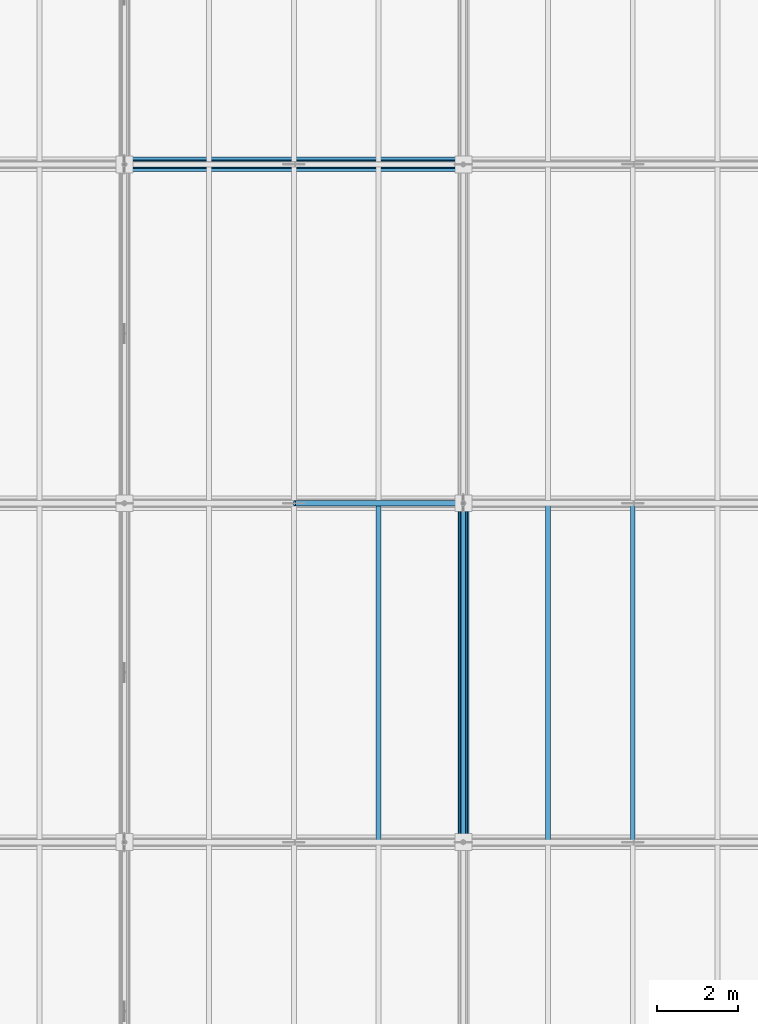
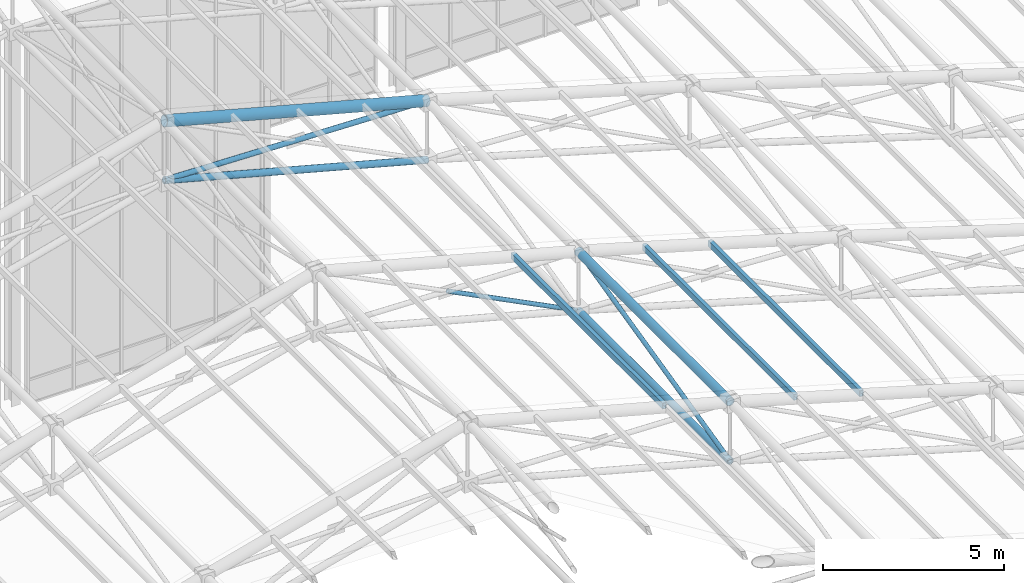
# One storey, part 56 of 144: 10 members.
"""IFC4 building model written with IfcOpenShell, lengths in metres."""

from ifc_helpers import new_model, si_unit, direction, frame, origin, origin_2d, place, context, subcontext, project, spatial, hollow_rectangle, hollow_circle, extrude, material, material_profile, profile_set, type_object, element, save


model = new_model("IFC4")

# Units and contexts
model_context = context("Model", 3, precision=1e-05, world=origin(), true_north=direction((0.0, 1.0)))
body_context = subcontext(model_context, "Body", "Model", "MODEL_VIEW")
ifc_project = project(units=[si_unit("LENGTHUNIT", "METRE"), si_unit("AREAUNIT", "SQUARE_METRE"), si_unit("VOLUMEUNIT", "CUBIC_METRE"), si_unit("PLANEANGLEUNIT", "RADIAN"), si_unit("MASSUNIT", "GRAM", prefix="KILO")], contexts=[model_context])

# Site, building, storey
site_placement = place(None, origin())
site = spatial("IfcSite", under=ifc_project, at=site_placement, CompositionType="ELEMENT")
building_placement = place(site_placement, origin())
building = spatial("IfcBuilding", under=site, at=building_placement, Name="Zayran Congress Hotel", CompositionType="ELEMENT")
storey_placement = place(building_placement, frame((0.0, 0.0, 19.199951171875)))
storey = spatial("IfcBuildingStorey", under=building, at=storey_placement, Name="L04", CompositionType="ELEMENT", Elevation=19.199951171875)

# Members
ifc_material = material(Name="Steel S355", Category="steel")
ifc_material_profile_1 = material_profile(ifc_material, hollow_circle(Radius=0.177734375, WallThickness=0.01611328125, at=origin_2d()), Name="CHS 355.6x16")
ifc_profile_set_1 = profile_set([ifc_material_profile_1], Name="Steel S355")
member_type_1 = type_object("IfcMemberType", Name="TP-SF-TC1", PredefinedType="CHORD", material=ifc_profile_set_1)
member_1_placement = place(storey_placement, frame((50.39990234375, 101.199951171875, 14.60205078125), z_axis=(0.96594917914, 0.0, -0.258731875344), x_axis=(0.0, 1.0, 0.0)))
element("IfcMember", 1, at=member_1_placement, inside=storey, type_object=member_type_1, Name="Space Frame Top Chord X 308", PredefinedType="CHORD", context=body_context, shape_type="SweptSolid", body=[
    extrude(hollow_circle(Radius=0.177734375, WallThickness=0.01611328125, at=origin_2d()), origin(), (0.0, 0.0, 1.0), 8.6962890625),
])
ifc_material_profile_2 = material_profile(ifc_material, hollow_circle(Radius=0.136474609375, WallThickness=0.012451171875, at=origin_2d()), Name="CHS 273x12.5")
ifc_profile_set_2 = profile_set([ifc_material_profile_2], Name="Steel S355")
member_type_2 = type_object("IfcMemberType", Name="TP-SF-TC2", PredefinedType="CHORD", material=ifc_profile_set_2)
member_2_placement = place(storey_placement, frame((58.800048828125, 84.39990234375, 12.35205078125), z_axis=(0.0, 1.0, 0.0), x_axis=(-1.0, 0.0, 0.0)))
element("IfcMember", 2, at=member_2_placement, inside=storey, type_object=member_type_2, Name="Space Frame Top Chord Y 351", PredefinedType="CHORD", context=body_context, shape_type="SweptSolid", body=[
    extrude(hollow_circle(Radius=0.136474609375, WallThickness=0.012451171875, at=origin_2d()), origin(), (0.0, 0.0, 1.0), 8.400146484375),
])
ifc_material_profile_3 = material_profile(ifc_material, hollow_circle(Radius=0.109619140625, WallThickness=0.010009765625, at=origin_2d()), Name="CHS 219.1x10")
ifc_profile_set_3 = profile_set([ifc_material_profile_3], Name="Steel S355")
member_type_3 = type_object("IfcMemberType", Name="TP-SF-BC1", PredefinedType="CHORD", material=ifc_profile_set_3)
member_3_placement = place(storey_placement, frame((50.39990234375, 101.199951171875, 12.60009765625), z_axis=(0.96594917914, 0.0, -0.258731875344), x_axis=(0.0, 1.0, 0.0)))
element("IfcMember", 3, at=member_3_placement, inside=storey, type_object=member_type_3, Name="Space Frame Bottom Chord X 309", PredefinedType="CHORD", context=body_context, shape_type="SweptSolid", body=[
    extrude(hollow_circle(Radius=0.109619140625, WallThickness=0.010009765625, at=origin_2d()), origin(), (0.0, 0.0, 1.0), 8.6962890625),
])
member_4_placement = place(storey_placement, frame((58.800048828125, 84.39990234375, 10.35009765625), z_axis=(0.0, 1.0, 0.0), x_axis=(-1.0, 0.0, 0.0)))
element("IfcMember", 4, at=member_4_placement, inside=storey, type_object=member_type_3, Name="Space Frame Bottom Chord Y 352", PredefinedType="CHORD", context=body_context, shape_type="SweptSolid", body=[
    extrude(hollow_circle(Radius=0.109619140625, WallThickness=0.010009765625, at=origin_2d()), origin(), (0.0, 0.0, 1.0), 8.400146484375),
])
ifc_material_profile_4 = material_profile(ifc_material, hollow_circle(Radius=0.084228515625, WallThickness=0.008056640625, at=origin_2d()), Name="CHS 168.3x8")
ifc_profile_set_4 = profile_set([ifc_material_profile_4], Name="Steel S355")
member_type_4 = type_object("IfcMemberType", Name="TP-SF-DG1", PredefinedType="BRACE", material=ifc_profile_set_4)
member_5_placement = place(storey_placement, frame((50.39990234375, 101.199951171875, 12.60009765625), z_axis=(0.99956430768, 0.0, -0.029516009434), x_axis=(0.0, 1.0, 0.0)))
element("IfcMember", 5, at=member_5_placement, inside=storey, type_object=member_type_4, Name="Space Frame Web Diagonal X 310", PredefinedType="BRACE", context=body_context, shape_type="SweptSolid", body=[
    extrude(hollow_circle(Radius=0.084228515625, WallThickness=0.008056640625, at=origin_2d()), origin(), (0.0, 0.0, 1.0), 8.40380859375),
])
ifc_material_profile_5 = material_profile(ifc_material, hollow_circle(Radius=0.06982421875, WallThickness=0.00634765625, at=origin_2d()), Name="CHS 139.7x6.3")
ifc_profile_set_5 = profile_set([ifc_material_profile_5], Name="Steel S355")
member_type_5 = type_object("IfcMemberType", Name="TP-SF-DG2", PredefinedType="BRACE", material=ifc_profile_set_5)
member_6_placement = place(storey_placement, frame((54.61328125, 92.800048828125, 12.46923828125), z_axis=(0.892220848392, 0.0, -0.451599333142), x_axis=(0.0, 1.0, 0.0)))
element("IfcMember", 6, at=member_6_placement, inside=storey, type_object=member_type_5, Name="Space Frame Counter Diagonal X Lower 48", PredefinedType="BRACE", context=body_context, shape_type="SweptSolid", body=[
    extrude(hollow_circle(Radius=0.06982421875, WallThickness=0.00634765625, at=origin_2d()), origin(), (0.0, 0.0, 1.0), 4.692626953125),
])
member_7_placement = place(storey_placement, frame((58.800048828125, 84.39990234375, 10.35009765625), z_axis=(0.0, 0.972756139537, 0.231830742122), x_axis=(-1.0, 0.0, 0.0)))
element("IfcMember", 7, at=member_7_placement, inside=storey, type_object=member_type_5, Name="Space Frame Web Diagonal Y 353", PredefinedType="BRACE", context=body_context, shape_type="SweptSolid", body=[
    extrude(hollow_circle(Radius=0.06982421875, WallThickness=0.00634765625, at=origin_2d()), origin(), (0.0, 0.0, 1.0), 8.635498046875),
])
ifc_material_profile_6 = material_profile(ifc_material, hollow_rectangle(XDim=0.1201171875, YDim=0.199951171875, WallThickness=0.008056640625, at=origin_2d()), Name="RHS 200x120x8")
ifc_profile_set_6 = profile_set([ifc_material_profile_6], Name="Steel S355")
member_type_6 = type_object("IfcMemberType", Name="TP-PR-01", PredefinedType="PURLIN", material=ifc_profile_set_6)
for number, where, z_axis, x_axis, name in (
    (8, (56.699951171875, 84.39990234375, 12.95654296875), (0.0, 1.0, 0.0), (-1.0, 0.0, 0.0), "MEM-PR-V1-0105"),
    (9, (60.89990234375, 84.39990234375, 11.781494140625), (0.0, 1.0, 0.0), (-1.0, 0.0, 0.0), "MEM-PR-V1-0111"),
    (10, (63.0, 84.39990234375, 11.1689453125), (0.0, 1.0, 0.0), (-1.0, 0.0, 0.0), "MEM-PR-V1-0117"),
):
    element("IfcMember", number, at=place(storey_placement, frame(where, z_axis=z_axis, x_axis=x_axis)), inside=storey, type_object=member_type_6, Name=name, PredefinedType="PURLIN", context=body_context, shape_type="SweptSolid", body=[
        extrude(hollow_rectangle(XDim=0.1201171875, YDim=0.199951171875, WallThickness=0.008056640625, at=origin_2d()), origin(), (0.0, 0.0, 1.0), 8.400146484375),
    ])

save(model, "model.ifc")
